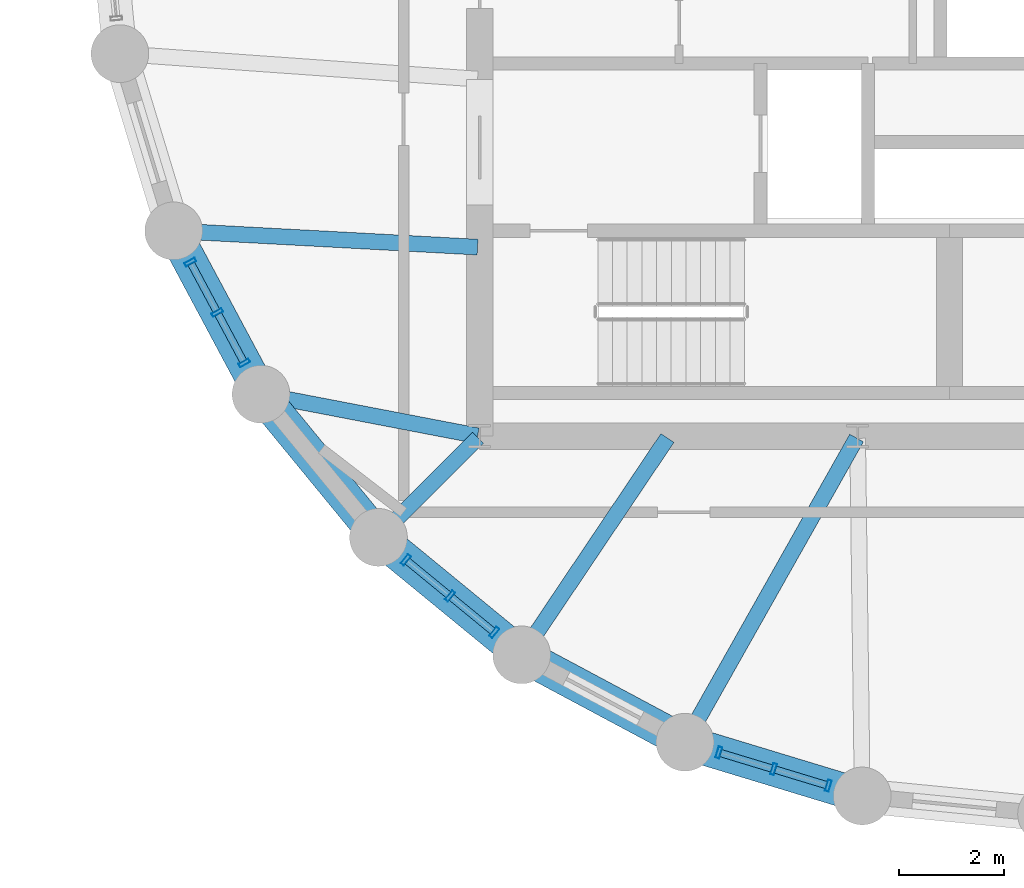
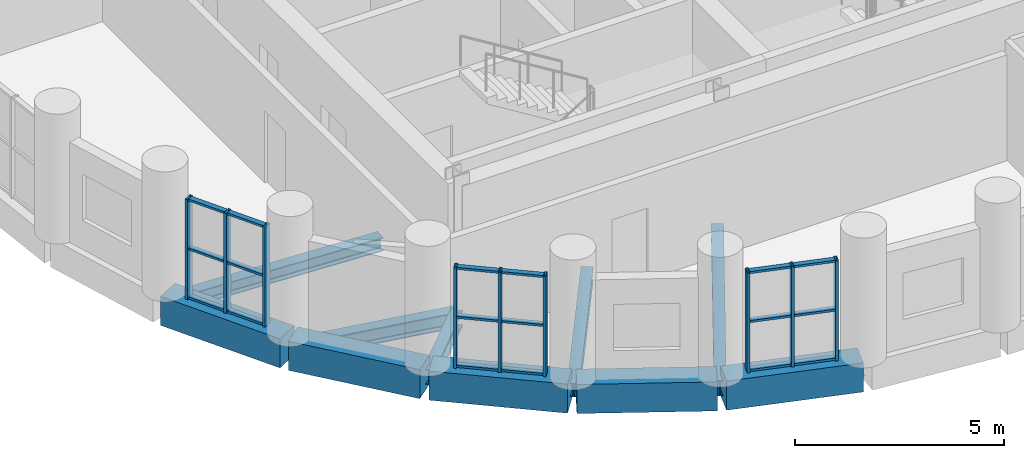
# One storey, part 2 of 13: 27 members, 10 beams, 3 elements without a shape of their own.
"""IFC4 building model written with IfcOpenShell, lengths in metres."""

from ifc_helpers import new_model, si_unit, direction, frame, origin, origin_2d, place, context, subcontext, project, spatial, rectangle, hollow_rectangle, i_section, extrude, material, layer, layer_set, material_profile, profile_set, type_object, element, aggregate, save


model = new_model("IFC4")

# Units and contexts
model_context = context("Model", 3, precision=1e-05, world=origin(), true_north=direction((0.0, 1.0)))
body_context = subcontext(model_context, "Body", "Model", "MODEL_VIEW")
ifc_project = project(units=[si_unit("LENGTHUNIT", "METRE"), si_unit("AREAUNIT", "SQUARE_METRE"), si_unit("VOLUMEUNIT", "CUBIC_METRE"), si_unit("PLANEANGLEUNIT", "RADIAN"), si_unit("MASSUNIT", "GRAM", prefix="KILO")], contexts=[model_context])

# Site, building, storey
site_placement = place(None, origin())
site = spatial("IfcSite", under=ifc_project, at=site_placement, CompositionType="ELEMENT")
building_placement = place(site_placement, origin())
building = spatial("IfcBuilding", under=site, at=building_placement, Name="Solnavia Interchange Tower", CompositionType="ELEMENT")
storey_placement = place(building_placement, frame((0.0, 0.0, 123.800048828125)))
storey = spatial("IfcBuildingStorey", under=building, at=storey_placement, Name="L30", CompositionType="ELEMENT", Elevation=123.800048828125)

# Beams
ifc_material_1 = material(Name="Steel S460", Category="steel")
ifc_material_profile_1 = material_profile(ifc_material_1, i_section(OverallWidth=0.300048828125, OverallDepth=0.449951171875, WebThickness=0.013916015625, FlangeThickness=0.02587890625, FilletRadius=0.027099609375, at=origin_2d()), Name="HEB 450")
ifc_profile_set_1 = profile_set([ifc_material_profile_1], Name="Steel S460")
beam_type_1 = type_object("IfcBeamType", Name="Beam-Girder-HEB450", PredefinedType="BEAM", material=ifc_profile_set_1)
beam_1_placement = place(storey_placement, frame((10.3125, 11.5849609375, -0.47509765625), z_axis=(0.982057527796, -0.188581579428, 0.0), x_axis=(0.188581579428, 0.982057527796, 0.0)))
element("IfcBeam", 1, at=beam_1_placement, inside=storey, type_object=beam_type_1, Name="GRD-L30-DR22 Drum radial floor girder", PredefinedType="BEAM", context=body_context, shape_type="SweptSolid", body=[
    extrude(i_section(OverallWidth=0.300048828125, OverallDepth=0.449951171875, WebThickness=0.013916015625, FlangeThickness=0.02587890625, FilletRadius=0.027099609375, at=origin_2d()), origin(), (0.0, 0.0, 1.0), 4.1220703125),
])
beam_2_placement = place(storey_placement, frame((18.351318359375, 5.039794921875, -0.47509765625), z_axis=(0.491243158486, 0.871022479182, 0.0), x_axis=(-0.871022479182, 0.491243158486, 0.0)))
element("IfcBeam", 2, at=beam_2_placement, inside=storey, type_object=beam_type_1, Name="GRD-L30-DR25 Drum radial floor girder", PredefinedType="BEAM", context=body_context, shape_type="SweptSolid", body=[
    extrude(i_section(OverallWidth=0.300048828125, OverallDepth=0.449951171875, WebThickness=0.013916015625, FlangeThickness=0.02587890625, FilletRadius=0.027099609375, at=origin_2d()), origin(), (0.0, 0.0, 1.0), 6.5732421875),
])
ifc_material_2 = material(Name="Steel S355", Category="steel")
ifc_material_profile_2 = material_profile(ifc_material_2, i_section(OverallWidth=0.300048828125, OverallDepth=0.389892578125, WebThickness=0.010986328125, FlangeThickness=0.01904296875, FilletRadius=0.027099609375, at=origin_2d()), Name="HEA 400")
ifc_profile_set_2 = profile_set([ifc_material_profile_2], Name="Steel S355")
beam_type_2 = type_object("IfcBeamType", Name="Beam-Primary-HEA400", PredefinedType="BEAM", material=ifc_profile_set_2)
beam_3_placement = place(storey_placement, frame((8.64990234375, 14.707763671875, -0.445068359375), z_axis=(0.998570371303, -0.053452909696, 0.0), x_axis=(0.053452909696, 0.998570371303, 0.0)))
element("IfcBeam", 3, at=beam_3_placement, inside=storey, type_object=beam_type_2, Name="GRD-L30-DR21 Drum radial floor girder", PredefinedType="BEAM", context=body_context, shape_type="SweptSolid", body=[
    extrude(i_section(OverallWidth=0.300048828125, OverallDepth=0.389892578125, WebThickness=0.010986328125, FlangeThickness=0.01904296875, FilletRadius=0.027099609375, at=origin_2d()), origin(), (0.0, 0.0, 1.0), 5.71826171875),
])
beam_4_placement = place(storey_placement, frame((15.24462890625, 6.700439453125, -0.445068359375), z_axis=(0.557835474219, 0.829951555033, 0.0), x_axis=(-0.829951555033, 0.557835474219, 0.0)))
element("IfcBeam", 4, at=beam_4_placement, inside=storey, type_object=beam_type_2, Name="GRD-L30-DR24 Drum radial floor girder", PredefinedType="BEAM", context=body_context, shape_type="SweptSolid", body=[
    extrude(i_section(OverallWidth=0.300048828125, OverallDepth=0.389892578125, WebThickness=0.010986328125, FlangeThickness=0.01904296875, FilletRadius=0.027099609375, at=origin_2d()), origin(), (0.0, 0.0, 1.0), 4.899658203125),
])
ifc_material_profile_3 = material_profile(ifc_material_2, i_section(OverallWidth=0.300048828125, OverallDepth=0.43994140625, WebThickness=0.011474609375, FlangeThickness=0.02099609375, FilletRadius=0.027099609375, at=origin_2d()), Name="HEA 450")
ifc_profile_set_3 = profile_set([ifc_material_profile_3], Name="Steel S355")
beam_type_3 = type_object("IfcBeamType", Name="Beam-Primary-HEA450", PredefinedType="BEAM", material=ifc_profile_set_3)
beam_5_placement = place(storey_placement, frame((12.528564453125, 8.9287109375, -0.469970703125), z_axis=(0.707106781187, 0.707106781187, 0.0), x_axis=(-0.707106781187, 0.707106781187, 0.0)))
element("IfcBeam", 5, at=beam_5_placement, inside=storey, type_object=beam_type_3, Name="GRD-L30-DR23 Drum radial floor girder", PredefinedType="BEAM", context=body_context, shape_type="SweptSolid", body=[
    extrude(i_section(OverallWidth=0.300048828125, OverallDepth=0.43994140625, WebThickness=0.011474609375, FlangeThickness=0.02099609375, FilletRadius=0.027099609375, at=origin_2d()), origin(), (0.0, 0.0, 1.0), 2.6064453125),
])
ifc_material_3 = material(Name="Concrete C50/60", Category="concrete")
ifc_material_profile_4 = material_profile(ifc_material_3, rectangle(XDim=0.64990234375, YDim=0.85009765625, at=origin_2d()), Name="RC 650x850")
ifc_profile_set_4 = profile_set([ifc_material_profile_4], Name="Concrete C50/60")
beam_type_4 = type_object("IfcBeamType", Name="Beam-Spandrel-RC650x850", PredefinedType="SPANDREL", material=ifc_profile_set_4)
beam_6_placement = place(storey_placement, frame((8.607666015625, 14.6416015625, -0.425048828125), z_axis=(0.471509422952, -0.881861023102, 0.0), x_axis=(0.881861023102, 0.471509422952, 0.0)))
element("IfcBeam", 6, at=beam_6_placement, inside=storey, type_object=beam_type_4, Name="SPB-L30-03 Framed-tube perimeter spandrel beam", PredefinedType="SPANDREL", context=body_context, shape_type="SweptSolid", body=[
    extrude(rectangle(XDim=0.64990234375, YDim=0.85009765625, at=origin_2d()), origin(), (0.0, 0.0, 1.0), 3.369140625),
])
for number, where, z_axis, x_axis, name in (
    (7, (10.28466796875, 11.5380859375, -0.425048828125), (0.634298841675, -0.773087950656, 0.0), (0.773087950656, 0.634298841675, 0.0), "SPB-L30-04 Framed-tube perimeter spandrel beam"),
    (8, (12.53369140625, 8.8212890625, -0.425048828125), (0.773152644452, -0.634219984214, 0.0), (0.634219984214, 0.773152644452, 0.0), "SPB-L30-05 Framed-tube perimeter spandrel beam"),
):
    element("IfcBeam", number, at=place(storey_placement, frame(where, z_axis=z_axis, x_axis=x_axis)), inside=storey, type_object=beam_type_4, Name=name, PredefinedType="SPANDREL", context=body_context, shape_type="SweptSolid", body=[
        extrude(rectangle(XDim=0.64990234375, YDim=0.85009765625, at=origin_2d()), origin(), (0.0, 0.0, 1.0), 3.36865234375),
    ])
beam_7_placement = place(storey_placement, frame((15.2705078125, 6.59619140625, -0.425048828125), z_axis=(0.881875044348, -0.47148319817, 0.0), x_axis=(0.47148319817, 0.881875044348, 0.0)))
element("IfcBeam", 9, at=beam_7_placement, inside=storey, type_object=beam_type_4, Name="SPB-L30-06 Framed-tube perimeter spandrel beam", PredefinedType="SPANDREL", context=body_context, shape_type="SweptSolid", body=[
    extrude(rectangle(XDim=0.64990234375, YDim=0.85009765625, at=origin_2d()), origin(), (0.0, 0.0, 1.0), 3.368896484375),
])
beam_8_placement = place(storey_placement, frame((18.388671875, 4.94677734375, -0.425048828125), z_axis=(0.956943884494, -0.290272978297, 0.0), x_axis=(0.290272978297, 0.956943884494, 0.0)))
element("IfcBeam", 10, at=beam_8_placement, inside=storey, type_object=beam_type_4, Name="SPB-L30-07 Framed-tube perimeter spandrel beam", PredefinedType="SPANDREL", context=body_context, shape_type="SweptSolid", body=[
    extrude(rectangle(XDim=0.64990234375, YDim=0.85009765625, at=origin_2d()), origin(), (0.0, 0.0, 1.0), 3.36767578125),
])

# Curtain wall, members
ifc_material_4 = material(Name="Aluminium Alloy 6063-T6", Category="aluminium")
ifc_layer = layer(ifc_material_4, 0.239990234375)
ifc_layer_set = layer_set([ifc_layer], Name="Aluminium Alloy 6063-T6")
curtain_wall_type = type_object("IfcCurtainWallType", Name="CurtainWall-Drum-CTW2", PredefinedType="NOTDEFINED", material=ifc_layer_set)
curtain_wall_1_placement = place(storey_placement, origin())
curtain_wall_1 = element("IfcCurtainWall", 11, at=curtain_wall_1_placement, inside=storey, type_object=curtain_wall_type, Name="CTW-L30-D57 CTW-2 curtain wall", PredefinedType="NOTDEFINED")
ifc_material_profile_5 = material_profile(ifc_material_4, hollow_rectangle(XDim=0.074951171875, YDim=0.219970703125, WallThickness=0.0048828125, at=origin_2d()), Name="ALU 220x75x5")
ifc_profile_set_5 = profile_set([ifc_material_profile_5], Name="Aluminium Alloy 6063-T6")
member_type_1 = type_object("IfcMemberType", Name="CW-Mullion-CWM-2", PredefinedType="MULLION", material=ifc_profile_set_5)
member_1_placement = place(storey_placement, frame((8.88818359375, 14.11669921875, 0.0), z_axis=(0.0, 0.0, 1.0), x_axis=(0.471536719402, -0.881846427818, 0.0)))
member_1 = element("IfcMember", 12, at=member_1_placement, type_object=member_type_1, Name="CTW-2 mullion 1", PredefinedType="MULLION", context=body_context, shape_type="SweptSolid", body=[
    extrude(hollow_rectangle(XDim=0.074951171875, YDim=0.219970703125, WallThickness=0.0048828125, at=origin_2d()), origin(), (0.0, 0.0, 1.0), 2.929931640625),
])
member_2_placement = place(storey_placement, frame((9.402099609375, 13.156005859375, 0.0), z_axis=(0.0, 0.0, 1.0), x_axis=(0.471536719402, -0.881846427818, 0.0)))
member_2 = element("IfcMember", 13, at=member_2_placement, type_object=member_type_1, Name="CTW-2 mullion 2", PredefinedType="MULLION", context=body_context, shape_type="SweptSolid", body=[
    extrude(hollow_rectangle(XDim=0.074951171875, YDim=0.219970703125, WallThickness=0.0048828125, at=origin_2d()), origin(), (0.0, 0.0, 1.0), 2.929931640625),
])
member_3_placement = place(storey_placement, frame((9.915771484375, 12.1953125, 0.0), z_axis=(0.0, 0.0, 1.0), x_axis=(0.471536719402, -0.881846427818, 0.0)))
member_3 = element("IfcMember", 14, at=member_3_placement, type_object=member_type_1, Name="CTW-2 mullion 3", PredefinedType="MULLION", context=body_context, shape_type="SweptSolid", body=[
    extrude(hollow_rectangle(XDim=0.074951171875, YDim=0.219970703125, WallThickness=0.0048828125, at=origin_2d()), origin(), (0.0, 0.0, 1.0), 2.929931640625),
])

curtain_wall_2_placement = place(storey_placement, origin())
curtain_wall_2 = element("IfcCurtainWall", 15, at=curtain_wall_2_placement, inside=storey, type_object=curtain_wall_type, Name="CTW-L30-D59 CTW-2 curtain wall", PredefinedType="NOTDEFINED")
member_4_placement = place(storey_placement, frame((12.993896484375, 8.44384765625, 0.0), z_axis=(0.0, 0.0, 1.0), x_axis=(0.773094572227, -0.634290771172, 0.0)))
member_4 = element("IfcMember", 16, at=member_4_placement, type_object=member_type_1, Name="CTW-2 mullion 1", PredefinedType="MULLION", context=body_context, shape_type="SweptSolid", body=[
    extrude(hollow_rectangle(XDim=0.074951171875, YDim=0.219970703125, WallThickness=0.0048828125, at=origin_2d()), origin(), (0.0, 0.0, 1.0), 2.929931640625),
])
member_5_placement = place(storey_placement, frame((13.8359375, 7.7529296875, 0.0), z_axis=(0.0, 0.0, 1.0), x_axis=(0.773094572227, -0.634290771172, 0.0)))
member_5 = element("IfcMember", 17, at=member_5_placement, type_object=member_type_1, Name="CTW-2 mullion 2", PredefinedType="MULLION", context=body_context, shape_type="SweptSolid", body=[
    extrude(hollow_rectangle(XDim=0.074951171875, YDim=0.219970703125, WallThickness=0.0048828125, at=origin_2d()), origin(), (0.0, 0.0, 1.0), 2.929931640625),
])
member_6_placement = place(storey_placement, frame((14.67822265625, 7.06201171875, 0.0), z_axis=(0.0, 0.0, 1.0), x_axis=(0.773094572227, -0.634290771172, 0.0)))
member_6 = element("IfcMember", 18, at=member_6_placement, type_object=member_type_1, Name="CTW-2 mullion 3", PredefinedType="MULLION", context=body_context, shape_type="SweptSolid", body=[
    extrude(hollow_rectangle(XDim=0.074951171875, YDim=0.219970703125, WallThickness=0.0048828125, at=origin_2d()), origin(), (0.0, 0.0, 1.0), 2.929931640625),
])

curtain_wall_3_placement = place(storey_placement, origin())
curtain_wall_3 = element("IfcCurtainWall", 19, at=curtain_wall_3_placement, inside=storey, type_object=curtain_wall_type, Name="CTW-L30-D61 CTW-2 curtain wall", PredefinedType="NOTDEFINED")
member_7_placement = place(storey_placement, frame((18.9580078125, 4.774169921875, 0.0), z_axis=(0.0, 0.0, 1.0), x_axis=(0.956934759739, -0.290303058206, 0.0)))
member_7 = element("IfcMember", 20, at=member_7_placement, type_object=member_type_1, Name="CTW-2 mullion 1", PredefinedType="MULLION", context=body_context, shape_type="SweptSolid", body=[
    extrude(hollow_rectangle(XDim=0.074951171875, YDim=0.219970703125, WallThickness=0.0048828125, at=origin_2d()), origin(), (0.0, 0.0, 1.0), 2.929931640625),
])
member_8_placement = place(storey_placement, frame((20.0, 4.4580078125, 0.0), z_axis=(0.0, 0.0, 1.0), x_axis=(0.956934759739, -0.290303058206, 0.0)))
member_8 = element("IfcMember", 21, at=member_8_placement, type_object=member_type_1, Name="CTW-2 mullion 2", PredefinedType="MULLION", context=body_context, shape_type="SweptSolid", body=[
    extrude(hollow_rectangle(XDim=0.074951171875, YDim=0.219970703125, WallThickness=0.0048828125, at=origin_2d()), origin(), (0.0, 0.0, 1.0), 2.929931640625),
])
member_9_placement = place(storey_placement, frame((21.0419921875, 4.141845703125, 0.0), z_axis=(0.0, 0.0, 1.0), x_axis=(0.956934759739, -0.290303058206, 0.0)))
member_9 = element("IfcMember", 22, at=member_9_placement, type_object=member_type_1, Name="CTW-2 mullion 3", PredefinedType="MULLION", context=body_context, shape_type="SweptSolid", body=[
    extrude(hollow_rectangle(XDim=0.074951171875, YDim=0.219970703125, WallThickness=0.0048828125, at=origin_2d()), origin(), (0.0, 0.0, 1.0), 2.929931640625),
])

# Member
ifc_material_profile_6 = material_profile(ifc_material_4, hollow_rectangle(XDim=0.06494140625, YDim=0.139892578125, WallThickness=0.00390625, at=origin_2d()), Name="ALU 140x65x4")
ifc_profile_set_6 = profile_set([ifc_material_profile_6], Name="Aluminium Alloy 6063-T6")
member_type_2 = type_object("IfcMemberType", Name="CW-Transom-CWT-2", PredefinedType="USERDEFINED", material=ifc_profile_set_6)
member_10_placement = place(storey_placement, frame((8.906005859375, 14.083740234375, 0.032470703125), z_axis=(0.471399859925, -0.88191959501, 0.0), x_axis=(0.0, 0.0, 1.0)))
member_10 = element("IfcMember", 23, at=member_10_placement, type_object=member_type_2, Name="CTW-2 transom 1.1", ObjectType="TRANSOM", PredefinedType="USERDEFINED", context=body_context, shape_type="SweptSolid", body=[
    extrude(hollow_rectangle(XDim=0.06494140625, YDim=0.139892578125, WallThickness=0.00390625, at=origin_2d()), origin(), (0.0, 0.0, 1.0), 1.0146484375),
])

member_11_placement = place(storey_placement, frame((8.906005859375, 14.083740234375, 1.46484375), z_axis=(0.471399859925, -0.88191959501, 0.0), x_axis=(0.0, 0.0, 1.0)))
member_11 = element("IfcMember", 24, at=member_11_placement, type_object=member_type_2, Name="CTW-2 transom 1.2", ObjectType="TRANSOM", PredefinedType="USERDEFINED", context=body_context, shape_type="SweptSolid", body=[
    extrude(hollow_rectangle(XDim=0.06494140625, YDim=0.139892578125, WallThickness=0.00390625, at=origin_2d()), origin(), (0.0, 0.0, 1.0), 1.0146484375),
])

member_12_placement = place(storey_placement, frame((8.906005859375, 14.083740234375, 2.8974609375), z_axis=(0.471399859925, -0.88191959501, 0.0), x_axis=(0.0, 0.0, 1.0)))
member_12 = element("IfcMember", 25, at=member_12_placement, type_object=member_type_2, Name="CTW-2 transom 1.3", ObjectType="TRANSOM", PredefinedType="USERDEFINED", context=body_context, shape_type="SweptSolid", body=[
    extrude(hollow_rectangle(XDim=0.06494140625, YDim=0.139892578125, WallThickness=0.00390625, at=origin_2d()), origin(), (0.0, 0.0, 1.0), 1.0146484375),
])

member_13_placement = place(storey_placement, frame((9.419677734375, 13.123046875, 0.032470703125), z_axis=(0.471399859925, -0.88191959501, 0.0), x_axis=(0.0, 0.0, 1.0)))
member_13 = element("IfcMember", 26, at=member_13_placement, type_object=member_type_2, Name="CTW-2 transom 2.1", ObjectType="TRANSOM", PredefinedType="USERDEFINED", context=body_context, shape_type="SweptSolid", body=[
    extrude(hollow_rectangle(XDim=0.06494140625, YDim=0.139892578125, WallThickness=0.00390625, at=origin_2d()), origin(), (0.0, 0.0, 1.0), 1.0146484375),
])

member_14_placement = place(storey_placement, frame((9.419677734375, 13.123046875, 1.46484375), z_axis=(0.471399859925, -0.88191959501, 0.0), x_axis=(0.0, 0.0, 1.0)))
member_14 = element("IfcMember", 27, at=member_14_placement, type_object=member_type_2, Name="CTW-2 transom 2.2", ObjectType="TRANSOM", PredefinedType="USERDEFINED", context=body_context, shape_type="SweptSolid", body=[
    extrude(hollow_rectangle(XDim=0.06494140625, YDim=0.139892578125, WallThickness=0.00390625, at=origin_2d()), origin(), (0.0, 0.0, 1.0), 1.0146484375),
])

member_15_placement = place(storey_placement, frame((9.419677734375, 13.123046875, 2.8974609375), z_axis=(0.471399859925, -0.88191959501, 0.0), x_axis=(0.0, 0.0, 1.0)))
member_15 = element("IfcMember", 28, at=member_15_placement, type_object=member_type_2, Name="CTW-2 transom 2.3", ObjectType="TRANSOM", PredefinedType="USERDEFINED", context=body_context, shape_type="SweptSolid", body=[
    extrude(hollow_rectangle(XDim=0.06494140625, YDim=0.139892578125, WallThickness=0.00390625, at=origin_2d()), origin(), (0.0, 0.0, 1.0), 1.0146484375),
])

aggregate(curtain_wall_1, [member_1, member_2, member_3, member_10, member_11, member_12, member_13, member_14, member_15])

member_16_placement = place(storey_placement, frame((13.02294921875, 8.420166015625, 0.032470703125), z_axis=(0.773130870672, -0.634246526844, 0.0), x_axis=(0.0, 0.0, 1.0)))
member_16 = element("IfcMember", 29, at=member_16_placement, type_object=member_type_2, Name="CTW-2 transom 1.1", ObjectType="TRANSOM", PredefinedType="USERDEFINED", context=body_context, shape_type="SweptSolid", body=[
    extrude(hollow_rectangle(XDim=0.06494140625, YDim=0.139892578125, WallThickness=0.00390625, at=origin_2d()), origin(), (0.0, 0.0, 1.0), 1.014404296875),
])

member_17_placement = place(storey_placement, frame((13.02294921875, 8.420166015625, 1.46484375), z_axis=(0.773130870672, -0.634246526844, 0.0), x_axis=(0.0, 0.0, 1.0)))
member_17 = element("IfcMember", 30, at=member_17_placement, type_object=member_type_2, Name="CTW-2 transom 1.2", ObjectType="TRANSOM", PredefinedType="USERDEFINED", context=body_context, shape_type="SweptSolid", body=[
    extrude(hollow_rectangle(XDim=0.06494140625, YDim=0.139892578125, WallThickness=0.00390625, at=origin_2d()), origin(), (0.0, 0.0, 1.0), 1.014404296875),
])

member_18_placement = place(storey_placement, frame((13.02294921875, 8.420166015625, 2.8974609375), z_axis=(0.773130870672, -0.634246526844, 0.0), x_axis=(0.0, 0.0, 1.0)))
member_18 = element("IfcMember", 31, at=member_18_placement, type_object=member_type_2, Name="CTW-2 transom 1.3", ObjectType="TRANSOM", PredefinedType="USERDEFINED", context=body_context, shape_type="SweptSolid", body=[
    extrude(hollow_rectangle(XDim=0.06494140625, YDim=0.139892578125, WallThickness=0.00390625, at=origin_2d()), origin(), (0.0, 0.0, 1.0), 1.014404296875),
])

member_19_placement = place(storey_placement, frame((13.864990234375, 7.729248046875, 0.032470703125), z_axis=(0.773130870672, -0.634246526844, 0.0), x_axis=(0.0, 0.0, 1.0)))
member_19 = element("IfcMember", 32, at=member_19_placement, type_object=member_type_2, Name="CTW-2 transom 2.1", ObjectType="TRANSOM", PredefinedType="USERDEFINED", context=body_context, shape_type="SweptSolid", body=[
    extrude(hollow_rectangle(XDim=0.06494140625, YDim=0.139892578125, WallThickness=0.00390625, at=origin_2d()), origin(), (0.0, 0.0, 1.0), 1.014404296875),
])

member_20_placement = place(storey_placement, frame((13.864990234375, 7.729248046875, 1.46484375), z_axis=(0.773130870672, -0.634246526844, 0.0), x_axis=(0.0, 0.0, 1.0)))
member_20 = element("IfcMember", 33, at=member_20_placement, type_object=member_type_2, Name="CTW-2 transom 2.2", ObjectType="TRANSOM", PredefinedType="USERDEFINED", context=body_context, shape_type="SweptSolid", body=[
    extrude(hollow_rectangle(XDim=0.06494140625, YDim=0.139892578125, WallThickness=0.00390625, at=origin_2d()), origin(), (0.0, 0.0, 1.0), 1.014404296875),
])

member_21_placement = place(storey_placement, frame((13.864990234375, 7.729248046875, 2.8974609375), z_axis=(0.773130870672, -0.634246526844, 0.0), x_axis=(0.0, 0.0, 1.0)))
member_21 = element("IfcMember", 34, at=member_21_placement, type_object=member_type_2, Name="CTW-2 transom 2.3", ObjectType="TRANSOM", PredefinedType="USERDEFINED", context=body_context, shape_type="SweptSolid", body=[
    extrude(hollow_rectangle(XDim=0.06494140625, YDim=0.139892578125, WallThickness=0.00390625, at=origin_2d()), origin(), (0.0, 0.0, 1.0), 1.014404296875),
])

aggregate(curtain_wall_2, [member_4, member_5, member_6, member_16, member_17, member_18, member_19, member_20, member_21])

member_22_placement = place(storey_placement, frame((18.993896484375, 4.76318359375, 0.032470703125), z_axis=(0.956973757237, -0.290174478478, 0.0), x_axis=(0.0, 0.0, 1.0)))
member_22 = element("IfcMember", 35, at=member_22_placement, type_object=member_type_2, Name="CTW-2 transom 1.1", ObjectType="TRANSOM", PredefinedType="USERDEFINED", context=body_context, shape_type="SweptSolid", body=[
    extrude(hollow_rectangle(XDim=0.06494140625, YDim=0.139892578125, WallThickness=0.00390625, at=origin_2d()), origin(), (0.0, 0.0, 1.0), 1.013916015625),
])

member_23_placement = place(storey_placement, frame((18.993896484375, 4.76318359375, 1.46484375), z_axis=(0.956973757237, -0.290174478478, 0.0), x_axis=(0.0, 0.0, 1.0)))
member_23 = element("IfcMember", 36, at=member_23_placement, type_object=member_type_2, Name="CTW-2 transom 1.2", ObjectType="TRANSOM", PredefinedType="USERDEFINED", context=body_context, shape_type="SweptSolid", body=[
    extrude(hollow_rectangle(XDim=0.06494140625, YDim=0.139892578125, WallThickness=0.00390625, at=origin_2d()), origin(), (0.0, 0.0, 1.0), 1.013916015625),
])

member_24_placement = place(storey_placement, frame((18.993896484375, 4.76318359375, 2.8974609375), z_axis=(0.956973757237, -0.290174478478, 0.0), x_axis=(0.0, 0.0, 1.0)))
member_24 = element("IfcMember", 37, at=member_24_placement, type_object=member_type_2, Name="CTW-2 transom 1.3", ObjectType="TRANSOM", PredefinedType="USERDEFINED", context=body_context, shape_type="SweptSolid", body=[
    extrude(hollow_rectangle(XDim=0.06494140625, YDim=0.139892578125, WallThickness=0.00390625, at=origin_2d()), origin(), (0.0, 0.0, 1.0), 1.013916015625),
])

member_25_placement = place(storey_placement, frame((20.035888671875, 4.447021484375, 0.032470703125), z_axis=(0.956973757237, -0.290174478478, 0.0), x_axis=(0.0, 0.0, 1.0)))
member_25 = element("IfcMember", 38, at=member_25_placement, type_object=member_type_2, Name="CTW-2 transom 2.1", ObjectType="TRANSOM", PredefinedType="USERDEFINED", context=body_context, shape_type="SweptSolid", body=[
    extrude(hollow_rectangle(XDim=0.06494140625, YDim=0.139892578125, WallThickness=0.00390625, at=origin_2d()), origin(), (0.0, 0.0, 1.0), 1.013916015625),
])

member_26_placement = place(storey_placement, frame((20.035888671875, 4.447021484375, 1.46484375), z_axis=(0.956973757237, -0.290174478478, 0.0), x_axis=(0.0, 0.0, 1.0)))
member_26 = element("IfcMember", 39, at=member_26_placement, type_object=member_type_2, Name="CTW-2 transom 2.2", ObjectType="TRANSOM", PredefinedType="USERDEFINED", context=body_context, shape_type="SweptSolid", body=[
    extrude(hollow_rectangle(XDim=0.06494140625, YDim=0.139892578125, WallThickness=0.00390625, at=origin_2d()), origin(), (0.0, 0.0, 1.0), 1.013916015625),
])

member_27_placement = place(storey_placement, frame((20.035888671875, 4.447021484375, 2.8974609375), z_axis=(0.956973757237, -0.290174478478, 0.0), x_axis=(0.0, 0.0, 1.0)))
member_27 = element("IfcMember", 40, at=member_27_placement, type_object=member_type_2, Name="CTW-2 transom 2.3", ObjectType="TRANSOM", PredefinedType="USERDEFINED", context=body_context, shape_type="SweptSolid", body=[
    extrude(hollow_rectangle(XDim=0.06494140625, YDim=0.139892578125, WallThickness=0.00390625, at=origin_2d()), origin(), (0.0, 0.0, 1.0), 1.013916015625),
])

aggregate(curtain_wall_3, [member_7, member_8, member_9, member_22, member_23, member_24, member_25, member_26, member_27])

save(model, "model.ifc")
